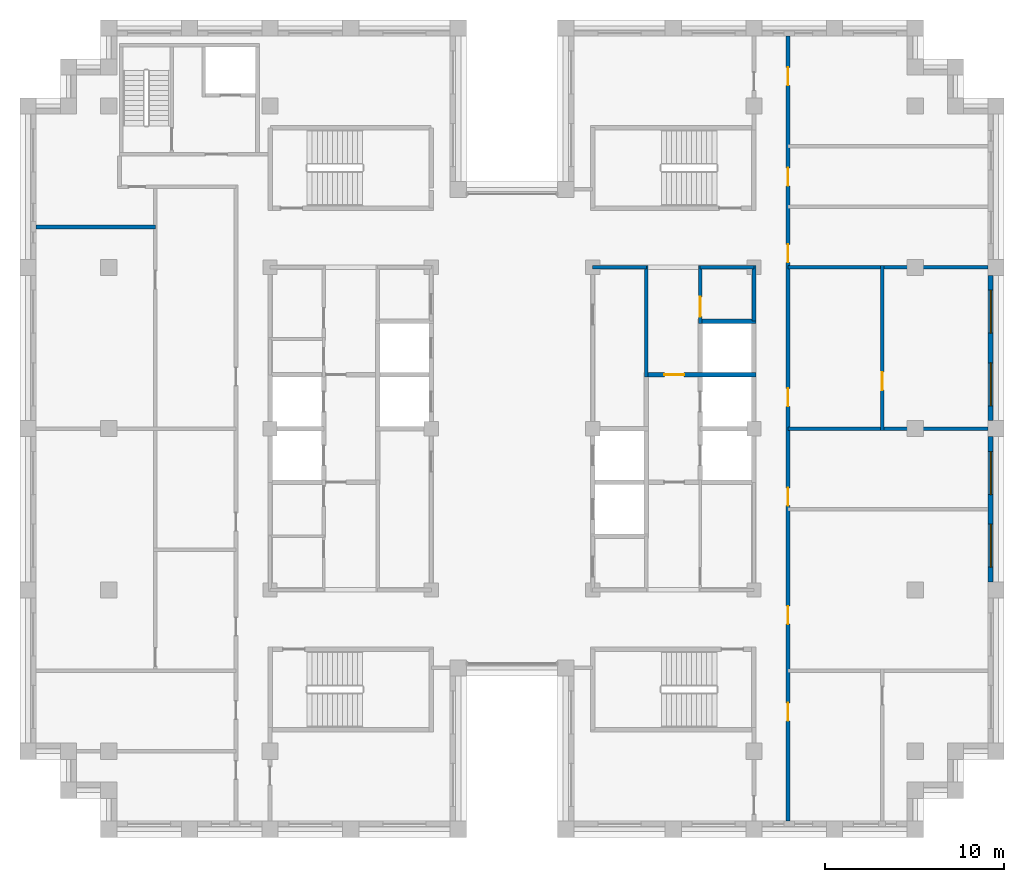
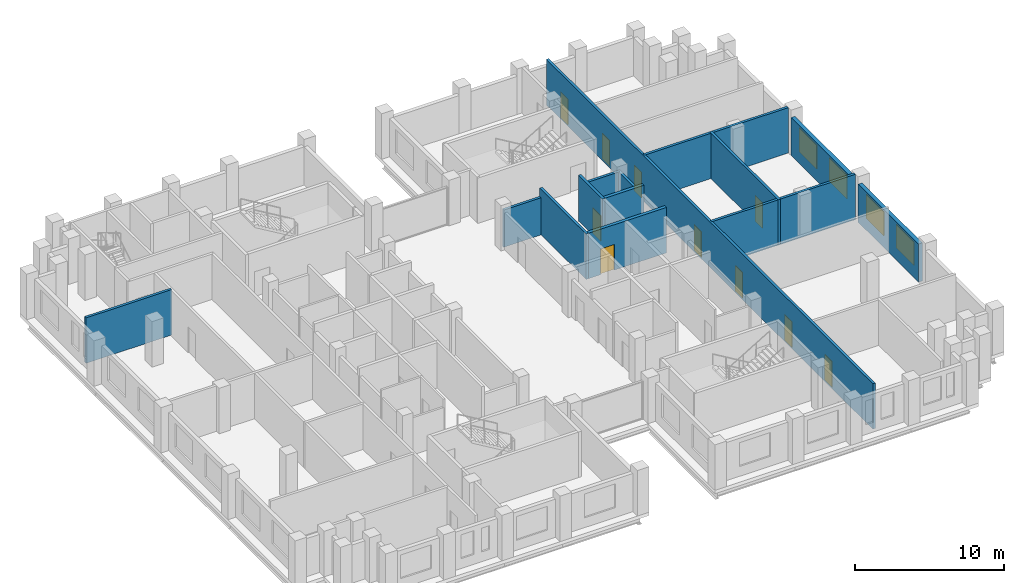
# One storey, part 9 of 13: 14 walls, 10 doors, 4 windows, 14 openings.
"""IFC4 building model written with IfcOpenShell, lengths in metres."""

from ifc_helpers import new_model, si_unit, direction, frame, frame_2d, origin, place, context, subcontext, project, spatial, rectangle, extrude, material, layer, layer_set, type_object, element, fill, save


model = new_model("IFC4")

# Units and contexts
model_context = context("Model", 3, precision=1e-05, world=origin(), true_north=direction((0.0, 1.0)))
body_context = subcontext(model_context, "Body", "Model", "MODEL_VIEW")
ifc_project = project(units=[si_unit("LENGTHUNIT", "METRE"), si_unit("AREAUNIT", "SQUARE_METRE"), si_unit("VOLUMEUNIT", "CUBIC_METRE"), si_unit("PLANEANGLEUNIT", "RADIAN"), si_unit("MASSUNIT", "GRAM", prefix="KILO")], contexts=[model_context])

# Site, building, storey
site_placement = place(None, origin())
site = spatial("IfcSite", under=ifc_project, at=site_placement, CompositionType="ELEMENT")
building_placement = place(site_placement, origin())
building = spatial("IfcBuilding", under=site, at=building_placement, Name="Corbelhall Arena Tower", CompositionType="ELEMENT")
storey_placement = place(building_placement, frame((0.0, 0.0, 258.0)))
storey = spatial("IfcBuildingStorey", under=building, at=storey_placement, Name="L55", CompositionType="ELEMENT", Elevation=258.0)

# Wall, openings, windows
ifc_material_1 = material(Name="Precast concrete C40/50 with granite facing", Category="masonry")
ifc_layer_1 = layer(ifc_material_1, 0.300048828125)
ifc_layer_set_1 = layer_set([ifc_layer_1], Name="EV-IW1 Infill panel 300")
wall_type_1 = type_object("IfcWallType", Name="EV-IW1 Infill panel 300", PredefinedType="SOLIDWALL", material=ifc_layer_set_1)
wall_1_placement = place(storey_placement, frame((26.699951171875, -8.550048828125, 0.0), z_axis=(0.0, 0.0, 1.0), x_axis=(0.0, 1.0, 0.0)))
wall_1 = element("IfcWall", 1, at=wall_1_placement, inside=storey, type_object=wall_type_1, Name="Infill panel IW1", PredefinedType="SOLIDWALL", context=body_context, shape_type="SweptSolid", body=[
    extrude(rectangle(XDim=8.10009765625, YDim=0.300048828125, at=frame_2d((4.050048828125, 0.0))), origin(), (0.0, 0.0, 1.0), 3.1201171875),
])
opening_1_placement = place(wall_1_placement, frame((0.824951171875, 0.0, 0.800048828125)))
opening_1 = element("IfcOpeningElement", 2, at=opening_1_placement, cuts=wall_1, Name="Opening WN1", PredefinedType="OPENING", context=body_context, shape_type="SweptSolid", body=[
    extrude(rectangle(XDim=2.39990234375, YDim=1.949951171875, at=frame_2d((1.199951171875, 0.97509765625))), frame((0.0, 0.14990234375, 0.0), z_axis=(0.0, -1.0, 0.0), x_axis=(1.0, 0.0, 0.0)), (0.0, 0.0, 1.0), 0.300048828125),
])
opening_2_placement = place(wall_1_placement, frame((4.875, 0.0, 0.800048828125)))
opening_2 = element("IfcOpeningElement", 3, at=opening_2_placement, cuts=wall_1, Name="Opening WN1", PredefinedType="OPENING", context=body_context, shape_type="SweptSolid", body=[
    extrude(rectangle(XDim=2.39990234375, YDim=1.949951171875, at=frame_2d((1.199951171875, 0.97509765625))), frame((0.0, 0.14990234375, 0.0), z_axis=(0.0, -1.0, 0.0), x_axis=(1.0, 0.0, 0.0)), (0.0, 0.0, 1.0), 0.300048828125),
])
ifc_material_2 = material(Name="Aluminium black anodised", Category="aluminium")
window_type = type_object("IfcWindowType", Name="EV-WN1 Office window", PartitioningType="SINGLE_PANEL", PredefinedType="WINDOW", material=ifc_material_2)
window_1_placement = place(opening_1_placement, origin())
window_1 = element("IfcWindow", 4, at=window_1_placement, inside=storey, type_object=window_type, Name="Window WN1", OverallHeight=1.949951171875, OverallWidth=2.39990234375, PartitioningType="SINGLE_PANEL", PredefinedType="WINDOW", context=body_context, shape_type="SweptSolid", body=[
    extrude(rectangle(XDim=2.39990234375, YDim=1.949951171875, at=frame_2d((1.199951171875, 0.97509765625))), frame((0.0, 0.030029296875, 0.0), z_axis=(0.0, -1.0, 0.0), x_axis=(1.0, 0.0, 0.0)), (0.0, 0.0, 1.0), 0.06005859375),
])
fill(opening_1, window_1)
window_2_placement = place(opening_2_placement, origin())
window_2 = element("IfcWindow", 5, at=window_2_placement, inside=storey, type_object=window_type, Name="Window WN1", OverallHeight=1.949951171875, OverallWidth=2.39990234375, PartitioningType="SINGLE_PANEL", PredefinedType="WINDOW", context=body_context, shape_type="SweptSolid", body=[
    extrude(rectangle(XDim=2.39990234375, YDim=1.949951171875, at=frame_2d((1.199951171875, 0.97509765625))), frame((0.0, 0.030029296875, 0.0), z_axis=(0.0, -1.0, 0.0), x_axis=(1.0, 0.0, 0.0)), (0.0, 0.0, 1.0), 0.06005859375),
])
fill(opening_2, window_2)

wall_2_placement = place(storey_placement, frame((26.699951171875, 0.449951171875, 0.0), z_axis=(0.0, 0.0, 1.0), x_axis=(0.0, 1.0, 0.0)))
wall_2 = element("IfcWall", 6, at=wall_2_placement, inside=storey, type_object=wall_type_1, Name="Infill panel IW1", PredefinedType="SOLIDWALL", context=body_context, shape_type="SweptSolid", body=[
    extrude(rectangle(XDim=8.10009765625, YDim=0.300048828125, at=frame_2d((4.050048828125, 0.0))), origin(), (0.0, 0.0, 1.0), 3.1201171875),
])
opening_3_placement = place(wall_2_placement, frame((0.824951171875, 0.0, 0.800048828125)))
opening_3 = element("IfcOpeningElement", 7, at=opening_3_placement, cuts=wall_2, Name="Opening WN1", PredefinedType="OPENING", context=body_context, shape_type="SweptSolid", body=[
    extrude(rectangle(XDim=2.39990234375, YDim=1.949951171875, at=frame_2d((1.199951171875, 0.97509765625))), frame((0.0, 0.14990234375, 0.0), z_axis=(0.0, -1.0, 0.0), x_axis=(1.0, 0.0, 0.0)), (0.0, 0.0, 1.0), 0.300048828125),
])
opening_4_placement = place(wall_2_placement, frame((4.875, 0.0, 0.800048828125)))
opening_4 = element("IfcOpeningElement", 8, at=opening_4_placement, cuts=wall_2, Name="Opening WN1", PredefinedType="OPENING", context=body_context, shape_type="SweptSolid", body=[
    extrude(rectangle(XDim=2.39990234375, YDim=1.949951171875, at=frame_2d((1.199951171875, 0.97509765625))), frame((0.0, 0.14990234375, 0.0), z_axis=(0.0, -1.0, 0.0), x_axis=(1.0, 0.0, 0.0)), (0.0, 0.0, 1.0), 0.300048828125),
])
window_3_placement = place(opening_3_placement, origin())
window_3 = element("IfcWindow", 9, at=window_3_placement, inside=storey, type_object=window_type, Name="Window WN1", OverallHeight=1.949951171875, OverallWidth=2.39990234375, PartitioningType="SINGLE_PANEL", PredefinedType="WINDOW", context=body_context, shape_type="SweptSolid", body=[
    extrude(rectangle(XDim=2.39990234375, YDim=1.949951171875, at=frame_2d((1.199951171875, 0.97509765625))), frame((0.0, 0.030029296875, 0.0), z_axis=(0.0, -1.0, 0.0), x_axis=(1.0, 0.0, 0.0)), (0.0, 0.0, 1.0), 0.06005859375),
])
fill(opening_3, window_3)
window_4_placement = place(opening_4_placement, origin())
window_4 = element("IfcWindow", 10, at=window_4_placement, inside=storey, type_object=window_type, Name="Window WN1", OverallHeight=1.949951171875, OverallWidth=2.39990234375, PartitioningType="SINGLE_PANEL", PredefinedType="WINDOW", context=body_context, shape_type="SweptSolid", body=[
    extrude(rectangle(XDim=2.39990234375, YDim=1.949951171875, at=frame_2d((1.199951171875, 0.97509765625))), frame((0.0, 0.030029296875, 0.0), z_axis=(0.0, -1.0, 0.0), x_axis=(1.0, 0.0, 0.0)), (0.0, 0.0, 1.0), 0.06005859375),
])
fill(opening_4, window_4)

# Wall
ifc_material_3 = material(Name="Gypsum board on steel stud, acoustic", Category="steel")
ifc_layer_2 = layer(ifc_material_3, 0.199951171875)
ifc_layer_set_2 = layer_set([ifc_layer_2], Name="IN-W-DM200")
wall_type_2 = type_object("IfcWallType", Name="IN-W-DM200", PredefinedType="PARTITIONING", material=ifc_layer_set_2)
wall_3_placement = place(storey_placement, frame((-26.550048828125, 11.25, 0.0), z_axis=(0.0, 0.0, 1.0), x_axis=(1.0, 0.0, 0.0)))
element("IfcWall", 11, at=wall_3_placement, inside=storey, type_object=wall_type_2, Name="Partition 002", PredefinedType="PARTITIONING", context=body_context, shape_type="SweptSolid", body=[
    extrude(rectangle(XDim=6.650146484375, YDim=0.199951171875, at=frame_2d((3.3251953125, 0.0))), origin(), (0.0, 0.0, 1.0), 3.719970703125),
])

# Wall, openings, doors
wall_4_placement = place(storey_placement, frame((15.39990234375, 21.89990234375, 0.0), z_axis=(0.0, 0.0, 1.0), x_axis=(0.0, -1.0, 0.0)))
wall_4 = element("IfcWall", 12, at=wall_4_placement, inside=storey, type_object=wall_type_2, Name="Partition 017", PredefinedType="PARTITIONING", context=body_context, shape_type="SweptSolid", body=[
    extrude(rectangle(XDim=43.7998046875, YDim=0.199951171875, at=frame_2d((21.89990234375, 0.0))), origin(), (0.0, 0.0, 1.0), 3.719970703125),
])
opening_5_placement = place(wall_4_placement, frame((19.64990234375, 0.0, 0.0)))
opening_5 = element("IfcOpeningElement", 13, at=opening_5_placement, cuts=wall_4, Name="Opening 17029", PredefinedType="OPENING", context=body_context, shape_type="SweptSolid", body=[
    extrude(rectangle(XDim=1.0, YDim=2.10009765625, at=frame_2d((0.5, 1.050048828125))), frame((0.0, 0.10009765625, 0.0), z_axis=(0.0, -1.0, 0.0), x_axis=(1.0, 0.0, 0.0)), (0.0, 0.0, 1.0), 0.199951171875),
])
opening_6_placement = place(wall_4_placement, frame((11.625, 0.0, 0.0)))
opening_6 = element("IfcOpeningElement", 14, at=opening_6_placement, cuts=wall_4, Name="Opening 17031", PredefinedType="OPENING", context=body_context, shape_type="SweptSolid", body=[
    extrude(rectangle(XDim=1.0, YDim=2.10009765625, at=frame_2d((0.5, 1.050048828125))), frame((0.0, 0.10009765625, 0.0), z_axis=(0.0, -1.0, 0.0), x_axis=(1.0, 0.0, 0.0)), (0.0, 0.0, 1.0), 0.199951171875),
])
opening_7_placement = place(wall_4_placement, frame((7.35009765625, 0.0, 0.0)))
opening_7 = element("IfcOpeningElement", 15, at=opening_7_placement, cuts=wall_4, Name="Opening 17032", PredefinedType="OPENING", context=body_context, shape_type="SweptSolid", body=[
    extrude(rectangle(XDim=1.0, YDim=2.10009765625, at=frame_2d((0.5, 1.050048828125))), frame((0.0, 0.10009765625, 0.0), z_axis=(0.0, -1.0, 0.0), x_axis=(1.0, 0.0, 0.0)), (0.0, 0.0, 1.0), 0.199951171875),
])
opening_8_placement = place(wall_4_placement, frame((1.75, 0.0, 0.0)))
opening_8 = element("IfcOpeningElement", 16, at=opening_8_placement, cuts=wall_4, Name="Opening 17033", PredefinedType="OPENING", context=body_context, shape_type="SweptSolid", body=[
    extrude(rectangle(XDim=1.0, YDim=2.10009765625, at=frame_2d((0.5, 1.050048828125))), frame((0.0, 0.10009765625, 0.0), z_axis=(0.0, -1.0, 0.0), x_axis=(1.0, 0.0, 0.0)), (0.0, 0.0, 1.0), 0.199951171875),
])
opening_9_placement = place(wall_4_placement, frame((37.199951171875, 0.0, 0.0)))
opening_9 = element("IfcOpeningElement", 17, at=opening_9_placement, cuts=wall_4, Name="Opening 17034", PredefinedType="OPENING", context=body_context, shape_type="SweptSolid", body=[
    extrude(rectangle(XDim=1.0, YDim=2.10009765625, at=frame_2d((0.5, 1.050048828125))), frame((0.0, 0.10009765625, 0.0), z_axis=(0.0, -1.0, 0.0), x_axis=(1.0, 0.0, 0.0)), (0.0, 0.0, 1.0), 0.199951171875),
])
opening_10_placement = place(wall_4_placement, frame((31.800048828125, 0.0, 0.0)))
opening_10 = element("IfcOpeningElement", 18, at=opening_10_placement, cuts=wall_4, Name="Opening 17036", PredefinedType="OPENING", context=body_context, shape_type="SweptSolid", body=[
    extrude(rectangle(XDim=1.0, YDim=2.10009765625, at=frame_2d((0.5, 1.050048828125))), frame((0.0, 0.10009765625, 0.0), z_axis=(0.0, -1.0, 0.0), x_axis=(1.0, 0.0, 0.0)), (0.0, 0.0, 1.0), 0.199951171875),
])
opening_11_placement = place(wall_4_placement, frame((25.199951171875, 0.0, 0.0)))
opening_11 = element("IfcOpeningElement", 19, at=opening_11_placement, cuts=wall_4, Name="Opening 17037", PredefinedType="OPENING", context=body_context, shape_type="SweptSolid", body=[
    extrude(rectangle(XDim=1.0, YDim=2.10009765625, at=frame_2d((0.5, 1.050048828125))), frame((0.0, 0.10009765625, 0.0), z_axis=(0.0, -1.0, 0.0), x_axis=(1.0, 0.0, 0.0)), (0.0, 0.0, 1.0), 0.199951171875),
])
ifc_material_4 = material(Name="Steel door set", Category="steel")
door_type_1 = type_object("IfcDoorType", Name="IN-D-SW100", OperationType="NOTDEFINED", PredefinedType="DOOR", material=ifc_material_4)
door_1_placement = place(opening_5_placement, origin())
door_1 = element("IfcDoor", 20, at=door_1_placement, inside=storey, type_object=door_type_1, Name="Door 029", OperationType="SINGLE_SWING_RIGHT", OverallHeight=2.10009765625, OverallWidth=1.0, PredefinedType="DOOR", context=body_context, shape_type="SweptSolid", body=[
    extrude(rectangle(XDim=1.0, YDim=2.10009765625, at=frame_2d((0.5, 1.050048828125))), frame((0.0, 0.02490234375, 0.0), z_axis=(0.0, -1.0, 0.0), x_axis=(1.0, 0.0, 0.0)), (0.0, 0.0, 1.0), 0.050048828125),
])
fill(opening_5, door_1)
door_2_placement = place(opening_6_placement, origin())
door_2 = element("IfcDoor", 21, at=door_2_placement, inside=storey, type_object=door_type_1, Name="Door 031", OperationType="SINGLE_SWING_RIGHT", OverallHeight=2.10009765625, OverallWidth=1.0, PredefinedType="DOOR", context=body_context, shape_type="SweptSolid", body=[
    extrude(rectangle(XDim=1.0, YDim=2.10009765625, at=frame_2d((0.5, 1.050048828125))), frame((0.0, 0.02490234375, 0.0), z_axis=(0.0, -1.0, 0.0), x_axis=(1.0, 0.0, 0.0)), (0.0, 0.0, 1.0), 0.050048828125),
])
fill(opening_6, door_2)
door_3_placement = place(opening_7_placement, origin())
door_3 = element("IfcDoor", 22, at=door_3_placement, inside=storey, type_object=door_type_1, Name="Door 032", OperationType="SINGLE_SWING_LEFT", OverallHeight=2.10009765625, OverallWidth=1.0, PredefinedType="DOOR", context=body_context, shape_type="SweptSolid", body=[
    extrude(rectangle(XDim=1.0, YDim=2.10009765625, at=frame_2d((0.5, 1.050048828125))), frame((0.0, 0.02490234375, 0.0), z_axis=(0.0, -1.0, 0.0), x_axis=(1.0, 0.0, 0.0)), (0.0, 0.0, 1.0), 0.050048828125),
])
fill(opening_7, door_3)
door_4_placement = place(opening_8_placement, origin())
door_4 = element("IfcDoor", 23, at=door_4_placement, inside=storey, type_object=door_type_1, Name="Door 033", OperationType="SINGLE_SWING_RIGHT", OverallHeight=2.10009765625, OverallWidth=1.0, PredefinedType="DOOR", context=body_context, shape_type="SweptSolid", body=[
    extrude(rectangle(XDim=1.0, YDim=2.10009765625, at=frame_2d((0.5, 1.050048828125))), frame((0.0, 0.02490234375, 0.0), z_axis=(0.0, -1.0, 0.0), x_axis=(1.0, 0.0, 0.0)), (0.0, 0.0, 1.0), 0.050048828125),
])
fill(opening_8, door_4)
door_5_placement = place(opening_9_placement, origin())
door_5 = element("IfcDoor", 24, at=door_5_placement, inside=storey, type_object=door_type_1, Name="Door 034", OperationType="SINGLE_SWING_LEFT", OverallHeight=2.10009765625, OverallWidth=1.0, PredefinedType="DOOR", context=body_context, shape_type="SweptSolid", body=[
    extrude(rectangle(XDim=1.0, YDim=2.10009765625, at=frame_2d((0.5, 1.050048828125))), frame((0.0, 0.02490234375, 0.0), z_axis=(0.0, -1.0, 0.0), x_axis=(1.0, 0.0, 0.0)), (0.0, 0.0, 1.0), 0.050048828125),
])
fill(opening_9, door_5)
door_6_placement = place(opening_10_placement, origin())
door_6 = element("IfcDoor", 25, at=door_6_placement, inside=storey, type_object=door_type_1, Name="Door 036", OperationType="SINGLE_SWING_LEFT", OverallHeight=2.10009765625, OverallWidth=1.0, PredefinedType="DOOR", context=body_context, shape_type="SweptSolid", body=[
    extrude(rectangle(XDim=1.0, YDim=2.10009765625, at=frame_2d((0.5, 1.050048828125))), frame((0.0, 0.02490234375, 0.0), z_axis=(0.0, -1.0, 0.0), x_axis=(1.0, 0.0, 0.0)), (0.0, 0.0, 1.0), 0.050048828125),
])
fill(opening_10, door_6)
door_7_placement = place(opening_11_placement, origin())
door_7 = element("IfcDoor", 26, at=door_7_placement, inside=storey, type_object=door_type_1, Name="Door 037", OperationType="SINGLE_SWING_RIGHT", OverallHeight=2.10009765625, OverallWidth=1.0, PredefinedType="DOOR", context=body_context, shape_type="SweptSolid", body=[
    extrude(rectangle(XDim=1.0, YDim=2.10009765625, at=frame_2d((0.5, 1.050048828125))), frame((0.0, 0.02490234375, 0.0), z_axis=(0.0, -1.0, 0.0), x_axis=(1.0, 0.0, 0.0)), (0.0, 0.0, 1.0), 0.050048828125),
])
fill(opening_11, door_7)

# Walls
for number, where, z_axis, x_axis, name in (
    (27, (15.39990234375, 9.0, 0.0), (0.0, 0.0, 1.0), (1.0, 0.0, 0.0), "Partition 019"),
    (28, (26.550048828125, 0.0, 0.0), (0.0, 0.0, 1.0), (-1.0, 0.0, 0.0), "Partition 023"),
):
    element("IfcWall", number, at=place(storey_placement, frame(where, z_axis=z_axis, x_axis=x_axis)), inside=storey, type_object=wall_type_2, Name=name, PredefinedType="PARTITIONING", context=body_context, shape_type="SweptSolid", body=[
        extrude(rectangle(XDim=11.150146484375, YDim=0.199951171875, at=frame_2d((5.5751953125, 0.0))), origin(), (0.0, 0.0, 1.0), 3.719970703125),
    ])

# Wall, opening, door
wall_5_placement = place(storey_placement, frame((20.64990234375, 9.10009765625, 0.0), z_axis=(0.0, 0.0, 1.0), x_axis=(0.0, -1.0, 0.0)))
wall_5 = element("IfcWall", 29, at=wall_5_placement, inside=storey, type_object=wall_type_2, Name="Partition 024", PredefinedType="PARTITIONING", context=body_context, shape_type="SweptSolid", body=[
    extrude(rectangle(XDim=9.2001953125, YDim=0.199951171875, at=frame_2d((4.60009765625, 0.0))), origin(), (0.0, 0.0, 1.0), 3.719970703125),
])
opening_12_placement = place(wall_5_placement, frame((5.949951171875, 0.0, 0.0)))
opening_12 = element("IfcOpeningElement", 30, at=opening_12_placement, cuts=wall_5, Name="Opening 17030", PredefinedType="OPENING", context=body_context, shape_type="SweptSolid", body=[
    extrude(rectangle(XDim=1.0, YDim=2.10009765625, at=frame_2d((0.5, 1.050048828125))), frame((0.0, 0.10009765625, 0.0), z_axis=(0.0, -1.0, 0.0), x_axis=(1.0, 0.0, 0.0)), (0.0, 0.0, 1.0), 0.199951171875),
])
door_8_placement = place(opening_12_placement, origin())
door_8 = element("IfcDoor", 31, at=door_8_placement, inside=storey, type_object=door_type_1, Name="Door 030", OperationType="SINGLE_SWING_LEFT", OverallHeight=2.10009765625, OverallWidth=1.0, PredefinedType="DOOR", context=body_context, shape_type="SweptSolid", body=[
    extrude(rectangle(XDim=1.0, YDim=2.10009765625, at=frame_2d((0.5, 1.050048828125))), frame((0.0, 0.02490234375, 0.0), z_axis=(0.0, -1.0, 0.0), x_axis=(1.0, 0.0, 0.0)), (0.0, 0.0, 1.0), 0.050048828125),
])
fill(opening_12, door_8)

# Wall
ifc_material_5 = material(Name="Concrete block wall", Category="concrete")
ifc_layer_3 = layer(ifc_material_5, 0.199951171875)
ifc_layer_set_3 = layer_set([ifc_layer_3], Name="IN-W-RS200")
wall_type_3 = type_object("IfcWallType", Name="IN-W-RS200", PredefinedType="SOLIDWALL", material=ifc_layer_set_3)
wall_6_placement = place(storey_placement, frame((7.5, 9.10009765625, 0.0), z_axis=(0.0, 0.0, 1.0), x_axis=(0.0, -1.0, 0.0)))
element("IfcWall", 32, at=wall_6_placement, inside=storey, type_object=wall_type_3, Name="Partition 041", PredefinedType="SOLIDWALL", context=body_context, shape_type="SweptSolid", body=[
    extrude(rectangle(XDim=6.22509765625, YDim=0.199951171875, at=frame_2d((3.112548828125, 0.0))), origin(), (0.0, 0.0, 1.0), 3.719970703125),
])

# Wall, opening, door
wall_7_placement = place(storey_placement, frame((10.5, 9.10009765625, 0.0), z_axis=(0.0, 0.0, 1.0), x_axis=(0.0, -1.0, 0.0)))
wall_7 = element("IfcWall", 33, at=wall_7_placement, inside=storey, type_object=wall_type_3, Name="Partition 043", PredefinedType="SOLIDWALL", context=body_context, shape_type="SweptSolid", body=[
    extrude(rectangle(XDim=3.22509765625, YDim=0.199951171875, at=frame_2d((1.612548828125, 0.0))), origin(), (0.0, 0.0, 1.0), 3.719970703125),
])
opening_13_placement = place(wall_7_placement, frame((1.75, 0.0, 0.0)))
opening_13 = element("IfcOpeningElement", 34, at=opening_13_placement, cuts=wall_7, Name="Opening 17014", PredefinedType="OPENING", context=body_context, shape_type="SweptSolid", body=[
    extrude(rectangle(XDim=1.10009765625, YDim=2.10009765625, at=frame_2d((0.550048828125, 1.050048828125))), frame((0.0, 0.10009765625, 0.0), z_axis=(0.0, -1.0, 0.0), x_axis=(1.0, 0.0, 0.0)), (0.0, 0.0, 1.0), 0.199951171875),
])
door_type_2 = type_object("IfcDoorType", Name="IN-D-FD110", OperationType="NOTDEFINED", PredefinedType="DOOR", material=ifc_material_4)
door_9_placement = place(opening_13_placement, origin())
door_9 = element("IfcDoor", 35, at=door_9_placement, inside=storey, type_object=door_type_2, Name="Door 014", OperationType="SINGLE_SWING_LEFT", OverallHeight=2.10009765625, OverallWidth=1.10009765625, PredefinedType="DOOR", context=body_context, shape_type="SweptSolid", body=[
    extrude(rectangle(XDim=1.10009765625, YDim=2.10009765625, at=frame_2d((0.550048828125, 1.050048828125))), frame((0.0, 0.02490234375, 0.0), z_axis=(0.0, -1.0, 0.0), x_axis=(1.0, 0.0, 0.0)), (0.0, 0.0, 1.0), 0.050048828125),
])
fill(opening_13, door_9)

# Walls
ifc_layer_4 = layer(ifc_material_5, 0.199951171875)
ifc_layer_set_4 = layer_set([ifc_layer_4], Name="IN-W-RS200 under beam 678 mm")
wall_type_4 = type_object("IfcWallType", Name="IN-W-RS200 under beam 678 mm", PredefinedType="SOLIDWALL", material=ifc_layer_set_4)
for number, where, z_axis, x_axis, name in (
    (36, (4.5, 9.0, 0.0), (0.0, 0.0, 1.0), (1.0, 0.0, 0.0), "Partition 038"),
    (37, (10.5, 9.0, 0.0), (0.0, 0.0, 1.0), (1.0, 0.0, 0.0), "Partition 042"),
):
    element("IfcWall", number, at=place(storey_placement, frame(where, z_axis=z_axis, x_axis=x_axis)), inside=storey, type_object=wall_type_4, Name=name, PredefinedType="SOLIDWALL", context=body_context, shape_type="SweptSolid", body=[
        extrude(rectangle(XDim=3.0, YDim=0.199951171875, at=frame_2d((1.5, 0.0))), origin(), (0.0, 0.0, 1.0), 3.041748046875),
    ])
wall_8_placement = place(storey_placement, frame((13.5, 9.10009765625, 0.0), z_axis=(0.0, 0.0, 1.0), x_axis=(0.0, -1.0, 0.0)))
element("IfcWall", 38, at=wall_8_placement, inside=storey, type_object=wall_type_4, Name="Partition 044", PredefinedType="SOLIDWALL", context=body_context, shape_type="SweptSolid", body=[
    extrude(rectangle(XDim=3.10009765625, YDim=0.199951171875, at=frame_2d((1.550048828125, 0.0))), origin(), (0.0, 0.0, 1.0), 3.041748046875),
])

# Wall, opening, door
ifc_material_6 = material(Name="Concrete C40/50", Category="concrete")
ifc_layer_5 = layer(ifc_material_6, 0.25)
ifc_layer_set_5 = layer_set([ifc_layer_5], Name="IN-W-SH250")
wall_type_5 = type_object("IfcWallType", Name="IN-W-SH250", PredefinedType="SOLIDWALL", material=ifc_layer_set_5)
wall_9_placement = place(storey_placement, frame((7.5, 3.0, 0.0), z_axis=(0.0, 0.0, 1.0), x_axis=(1.0, 0.0, 0.0)))
wall_9 = element("IfcWall", 39, at=wall_9_placement, inside=storey, type_object=wall_type_5, Name="Shaft wall 059", PredefinedType="SOLIDWALL", context=body_context, shape_type="SweptSolid", body=[
    extrude(rectangle(XDim=6.125, YDim=0.25, at=frame_2d((3.0625, 0.0))), origin(), (0.0, 0.0, 1.0), 3.719970703125),
])
opening_14_placement = place(wall_9_placement, frame((1.0, 0.0, 0.0)))
opening_14 = element("IfcOpeningElement", 40, at=opening_14_placement, cuts=wall_9, Name="Opening 17012", PredefinedType="OPENING", context=body_context, shape_type="SweptSolid", body=[
    extrude(rectangle(XDim=1.10009765625, YDim=2.10009765625, at=frame_2d((0.550048828125, 1.050048828125))), frame((0.0, 0.125, 0.0), z_axis=(0.0, -1.0, 0.0), x_axis=(1.0, 0.0, 0.0)), (0.0, 0.0, 1.0), 0.25),
])
door_10_placement = place(opening_14_placement, origin())
door_10 = element("IfcDoor", 41, at=door_10_placement, inside=storey, type_object=door_type_2, Name="Door 012", OperationType="SINGLE_SWING_LEFT", OverallHeight=2.10009765625, OverallWidth=1.10009765625, PredefinedType="DOOR", context=body_context, shape_type="SweptSolid", body=[
    extrude(rectangle(XDim=1.10009765625, YDim=2.10009765625, at=frame_2d((0.550048828125, 1.050048828125))), frame((0.0, 0.02490234375, 0.0), z_axis=(0.0, -1.0, 0.0), x_axis=(1.0, 0.0, 0.0)), (0.0, 0.0, 1.0), 0.050048828125),
])
fill(opening_14, door_10)

# Wall
wall_10_placement = place(storey_placement, frame((10.5, 6.0, 0.0), z_axis=(0.0, 0.0, 1.0), x_axis=(1.0, 0.0, 0.0)))
element("IfcWall", 42, at=wall_10_placement, inside=storey, type_object=wall_type_5, Name="Shaft wall 062", PredefinedType="SOLIDWALL", context=body_context, shape_type="SweptSolid", body=[
    extrude(rectangle(XDim=3.125, YDim=0.25, at=frame_2d((1.5625, 0.0))), origin(), (0.0, 0.0, 1.0), 3.719970703125),
])

save(model, "model.ifc")
